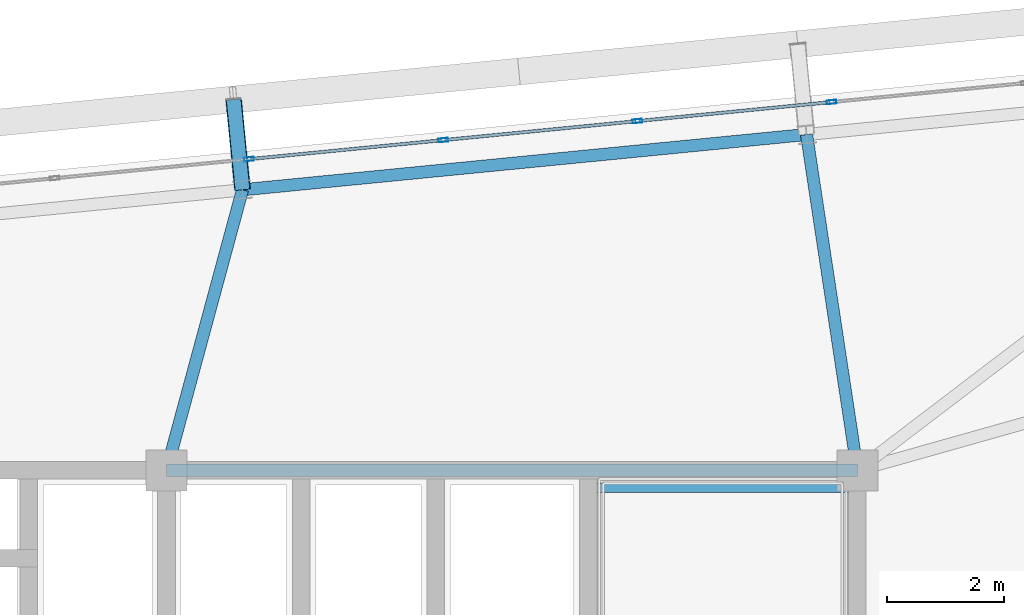
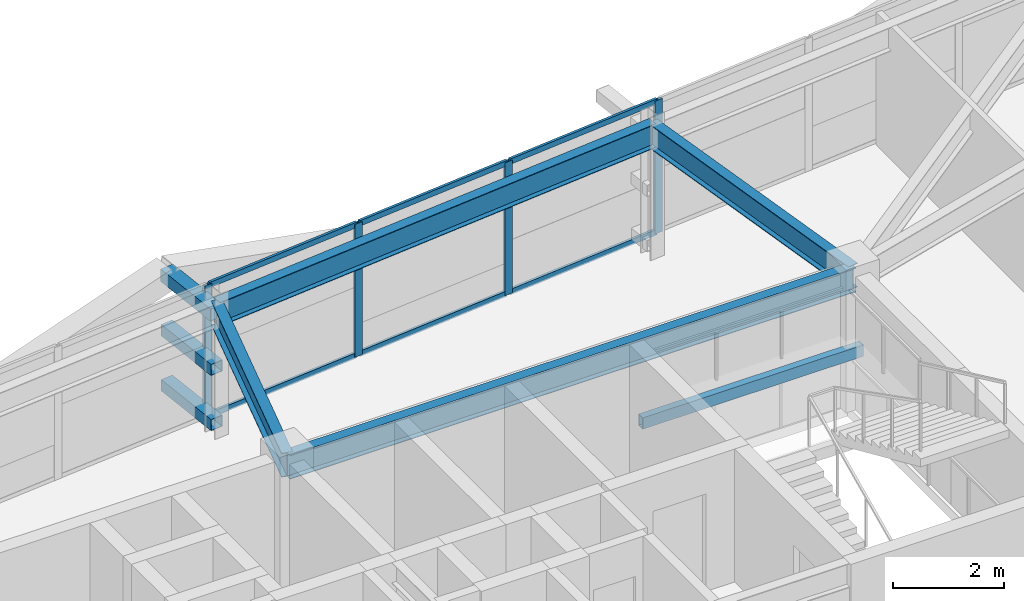
# One storey, part 31 of 53: 13 members, 5 beams, 1 element without a shape of its own.
"""IFC4 building model written with IfcOpenShell, lengths in metres."""

from ifc_helpers import new_model, si_unit, direction, frame, origin, origin_2d, place, context, subcontext, project, spatial, hollow_rectangle, i_section, extrude, source, transform, mapped, material, layer, layer_set, material_profile, profile_set, type_object, element, aggregate, save


model = new_model("IFC4")

# Units and contexts
model_context = context("Model", 3, precision=1e-05, world=origin(), true_north=direction((0.0, 1.0)))
body_context = subcontext(model_context, "Body", "Model", "MODEL_VIEW")
ifc_project = project(units=[si_unit("LENGTHUNIT", "METRE"), si_unit("AREAUNIT", "SQUARE_METRE"), si_unit("VOLUMEUNIT", "CUBIC_METRE"), si_unit("PLANEANGLEUNIT", "RADIAN"), si_unit("MASSUNIT", "GRAM", prefix="KILO")], contexts=[model_context])

# Site, building, storey
site_placement = place(None, origin())
site = spatial("IfcSite", under=ifc_project, at=site_placement, CompositionType="ELEMENT")
building_placement = place(site_placement, origin())
building = spatial("IfcBuilding", under=site, at=building_placement, Name="Taldren Reach Tower", CompositionType="ELEMENT")
storey_placement = place(building_placement, frame((0.0, 0.0, 80.85009765625)))
storey = spatial("IfcBuildingStorey", under=building, at=storey_placement, Name="L24", CompositionType="ELEMENT", Elevation=80.85009765625)

# Beam
ifc_material_1 = material(Name="Steel Gr 350 (350PLUS)", Category="steel")
ifc_material_profile_1 = material_profile(ifc_material_1, i_section(OverallWidth=0.208984375, OverallDepth=0.532958984375, WebThickness=0.01025390625, FlangeThickness=0.015625, at=origin_2d()), Name="530UB92.4")
ifc_profile_set_1 = profile_set([ifc_material_profile_1], Name="Steel Gr 350 (350PLUS)")
beam_type_1 = type_object("IfcBeamType", Name="BM-UB530A", PredefinedType="BEAM", material=ifc_profile_set_1)
shared_shape_1 = source(origin(), body_context, "Body", "SweptSolid", [
    extrude(i_section(OverallWidth=0.208984375, OverallDepth=0.532958984375, WebThickness=0.01025390625, FlangeThickness=0.015625, at=origin_2d()), origin(), (0.0, 0.0, 1.0), 11.800048828125),
])
beam_1_placement = place(storey_placement, frame((39.199951171875, 32.0, 2.663330078125), z_axis=(1.0, 0.0, 0.0), x_axis=(0.0, 1.0, 0.0)))
element("IfcBeam", 1, at=beam_1_placement, inside=storey, type_object=beam_type_1, Name="Core-spine girder L24-SP06", PredefinedType="BEAM", context=body_context, shape_type="MappedRepresentation", body=[
    mapped(shared_shape_1, transform((0.0, 0.0, 0.0), scale=1.0)),
])

# Members
ifc_material_2 = material(Name="Steel Gr 450 (C450L0)", Category="steel")
ifc_material_profile_2 = material_profile(ifc_material_2, hollow_rectangle(XDim=0.27490234375, YDim=0.27490234375, WallThickness=0.00927734375, at=origin_2d()), Name="275x275x9.3SHS")
ifc_profile_set_2 = profile_set([ifc_material_profile_2], Name="Steel Gr 450 (C450L0)")
member_type_1 = type_object("IfcMemberType", Name="MB-TIE273", PredefinedType="STRUT", material=ifc_profile_set_2)
shared_shape_2 = source(origin(), body_context, "Body", "SweptSolid", [
    extrude(hollow_rectangle(XDim=0.27490234375, YDim=0.27490234375, WallThickness=0.00927734375, at=origin_2d()), origin(), (0.0, 0.0, 1.0), 1.5498046875),
])
member_1_placement = place(storey_placement, frame((40.498291015625, 36.790771484375, 2.64990234375), z_axis=(-0.097663201064, 0.995219523099, 0.0), x_axis=(-0.995219523099, -0.097663201064, 0.0)))
element("IfcMember", 2, at=member_1_placement, inside=storey, type_object=member_type_1, Name="Exoskeleton diaphragm tie strut B2-N4 L24", PredefinedType="STRUT", context=body_context, shape_type="MappedRepresentation", body=[
    mapped(shared_shape_2, transform((0.0, 0.0, 0.0), scale=1.0)),
])
ifc_material_3 = material(Name="Steel Gr 350 (C350L0)", Category="steel")
ifc_material_profile_3 = material_profile(ifc_material_3, hollow_rectangle(XDim=0.25, YDim=0.25, WallThickness=0.010009765625, at=origin_2d()), Name="250x250x10.0SHS")
ifc_profile_set_3 = profile_set([ifc_material_profile_3], Name="Steel Gr 350 (C350L0)")
member_type_2 = type_object("IfcMemberType", Name="MB-POST250", PredefinedType="POST", material=ifc_profile_set_3)
shared_shape_3 = source(origin(), body_context, "Body", "SweptSolid", [
    extrude(hollow_rectangle(XDim=0.25, YDim=0.25, WallThickness=0.010009765625, at=origin_2d()), origin(), (0.0, 0.0, 1.0), 1.5498046875),
])
for number, where, z_axis, x_axis, name in (
    (3, (40.498291015625, 36.790771484375, 0.219970703125), (-0.097663201064, 0.995219523099, 0.0), (-0.995219523099, -0.097663201064, 0.0), "Exoskeleton base diaphragm tie strut B2-N4 L24"),
    (4, (40.498291015625, 36.790771484375, 1.434814453125), (-0.097663201064, 0.995219523099, 0.0), (-0.995219523099, -0.097663201064, 0.0), "Exoskeleton mid-tier diaphragm tie B2-N4 L24"),
):
    element("IfcMember", number, at=place(storey_placement, frame(where, z_axis=z_axis, x_axis=x_axis)), inside=storey, type_object=member_type_2, Name=name, PredefinedType="POST", context=body_context, shape_type="MappedRepresentation", body=[
        mapped(shared_shape_3, transform((0.0, 0.0, 0.0), scale=1.0)),
    ])

# Beams
ifc_material_profile_4 = material_profile(ifc_material_1, i_section(OverallWidth=0.208984375, OverallDepth=0.528076171875, WebThickness=0.009521484375, FlangeThickness=0.01318359375, at=origin_2d()), Name="530UB82.0")
ifc_profile_set_4 = profile_set([ifc_material_profile_4], Name="Steel Gr 350 (350PLUS)")
beam_type_2 = type_object("IfcBeamType", Name="SP-UB530B", PredefinedType="SPANDREL", material=ifc_profile_set_4)
shared_shape_4 = source(origin(), body_context, "Body", "SweptSolid", [
    extrude(i_section(OverallWidth=0.208984375, OverallDepth=0.528076171875, WebThickness=0.009521484375, FlangeThickness=0.01318359375, at=origin_2d()), origin(), (0.0, 0.0, 1.0), 9.679931640625),
])
beam_2_placement = place(storey_placement, frame((50.132080078125, 37.7353515625, 2.666015625), z_axis=(-0.995227612658, -0.097580730699, 0.0), x_axis=(0.097580730699, -0.995227612658, 0.0)))
element("IfcBeam", 5, at=beam_2_placement, inside=storey, type_object=beam_type_2, Name="Perimeter spandrel B2 N5-N4 L24", PredefinedType="SPANDREL", context=body_context, shape_type="MappedRepresentation", body=[
    mapped(shared_shape_4, transform((0.0, 0.0, 0.0), scale=1.0)),
])
shared_shape_5 = source(origin(), body_context, "Body", "SweptSolid", [
    extrude(i_section(OverallWidth=0.208984375, OverallDepth=0.532958984375, WebThickness=0.01025390625, FlangeThickness=0.015625, at=origin_2d()), origin(), (0.0, 0.0, 1.0), 5.800537109375),
])
beam_3_placement = place(storey_placement, frame((51.0, 32.0, 2.663330078125), z_axis=(-0.149624592867, 0.988742879221, 0.0), x_axis=(-0.988742879221, -0.149624592867, 0.0)))
element("IfcBeam", 6, at=beam_3_placement, inside=storey, type_object=beam_type_1, Name="Primary floor girder B2-N5 L24", PredefinedType="BEAM", context=body_context, shape_type="MappedRepresentation", body=[
    mapped(shared_shape_5, transform((0.0, 0.0, 0.0), scale=1.0)),
])
shared_shape_6 = source(origin(), body_context, "Body", "SweptSolid", [
    extrude(i_section(OverallWidth=0.208984375, OverallDepth=0.532958984375, WebThickness=0.01025390625, FlangeThickness=0.015625, at=origin_2d()), origin(), (0.0, 0.0, 1.0), 4.963623046875),
])
beam_4_placement = place(storey_placement, frame((39.199951171875, 32.0, 2.663330078125), z_axis=(0.261572995851, 0.965183696423, 0.0), x_axis=(-0.965183696423, 0.261572995851, 0.0)))
element("IfcBeam", 7, at=beam_4_placement, inside=storey, type_object=beam_type_1, Name="Primary floor girder B2-N4 L24", PredefinedType="BEAM", context=body_context, shape_type="MappedRepresentation", body=[
    mapped(shared_shape_6, transform((0.0, 0.0, 0.0), scale=1.0)),
])

# Curtain wall, members
ifc_material_4 = material(Name="Aluminium and Low-E Glass Unitised System", Category="aluminium")
ifc_layer = layer(ifc_material_4, 0.159912109375)
ifc_layer_set = layer_set([ifc_layer], Name="Aluminium and Low-E Glass Unitised System")
curtain_wall_type = type_object("IfcCurtainWallType", Name="CW-SYS-3", PredefinedType="NOTDEFINED", material=ifc_layer_set)
curtain_wall_placement = place(storey_placement, origin())
curtain_wall = element("IfcCurtainWall", 8, at=curtain_wall_placement, inside=storey, type_object=curtain_wall_type, Name="Unitised curtain wall CW-L24-N", PredefinedType="NOTDEFINED")
ifc_material_5 = material(Name="Anodised Aluminium 6063-T6", Category="aluminium")
ifc_material_profile_5 = material_profile(ifc_material_5, hollow_rectangle(XDim=0.06494140625, YDim=0.1650390625, WallThickness=0.00390625, at=origin_2d()), Name="ALU-165x65x4RHS")
ifc_profile_set_5 = profile_set([ifc_material_profile_5], Name="Anodised Aluminium 6063-T6")
member_type_3 = type_object("IfcMemberType", Name="CW-MUL-165", PredefinedType="MULLION", material=ifc_profile_set_5)
shared_shape_7 = source(origin(), body_context, "Body", "SweptSolid", [
    extrude(hollow_rectangle(XDim=0.06494140625, YDim=0.1650390625, WallThickness=0.00390625, at=origin_2d()), origin(), (0.0, 0.0, 1.0), 2.929931640625),
])
member_2_placement = place(storey_placement, frame((50.56005859375, 38.289794921875, 0.0), z_axis=(0.0, 0.0, 1.0), x_axis=(0.097582999046, -0.995227390247, 0.0)))
member_2 = element("IfcMember", 9, at=member_2_placement, type_object=member_type_3, Name="CW-3 mullion 4", PredefinedType="MULLION", context=body_context, shape_type="MappedRepresentation", body=[
    mapped(shared_shape_7, transform((0.0, 0.0, 0.0), scale=1.0)),
])
member_3_placement = place(storey_placement, frame((47.242431640625, 37.96435546875, 0.0), z_axis=(0.0, 0.0, 1.0), x_axis=(0.097582999046, -0.995227390247, 0.0)))
member_3 = element("IfcMember", 10, at=member_3_placement, type_object=member_type_3, Name="CW-3 mullion 5", PredefinedType="MULLION", context=body_context, shape_type="MappedRepresentation", body=[
    mapped(shared_shape_7, transform((0.0, 0.0, 0.0), scale=1.0)),
])
member_4_placement = place(storey_placement, frame((43.925048828125, 37.63916015625, 0.0), z_axis=(0.0, 0.0, 1.0), x_axis=(0.097582999046, -0.995227390247, 0.0)))
member_4 = element("IfcMember", 11, at=member_4_placement, type_object=member_type_3, Name="CW-3 mullion 6", PredefinedType="MULLION", context=body_context, shape_type="MappedRepresentation", body=[
    mapped(shared_shape_7, transform((0.0, 0.0, 0.0), scale=1.0)),
])
member_5_placement = place(storey_placement, frame((40.607666015625, 37.31396484375, 0.0), z_axis=(0.0, 0.0, 1.0), x_axis=(0.097582999046, -0.995227390247, 0.0)))
member_5 = element("IfcMember", 12, at=member_5_placement, type_object=member_type_3, Name="CW-3 mullion 7", PredefinedType="MULLION", context=body_context, shape_type="MappedRepresentation", body=[
    mapped(shared_shape_7, transform((0.0, 0.0, 0.0), scale=1.0)),
])
ifc_material_profile_6 = material_profile(ifc_material_5, hollow_rectangle(XDim=0.054931640625, YDim=0.1201171875, WallThickness=0.0029296875, at=origin_2d()), Name="ALU-120x55x3RHS")
ifc_profile_set_6 = profile_set([ifc_material_profile_6], Name="Anodised Aluminium 6063-T6")
member_type_4 = type_object("IfcMemberType", Name="CW-TRN-135", PredefinedType="USERDEFINED", material=ifc_profile_set_6)
shared_shape_8 = source(origin(), body_context, "Body", "SweptSolid", [
    extrude(hollow_rectangle(XDim=0.054931640625, YDim=0.1201171875, WallThickness=0.0029296875, at=origin_2d()), origin(), (0.0, 0.0, 1.0), 3.268310546875),
])
member_6_placement = place(storey_placement, frame((50.527587890625, 38.28662109375, 0.02734375), z_axis=(-0.995222549564, -0.097632355496, 0.0), x_axis=(0.097632355496, -0.995222549564, 0.0)))
member_6 = element("IfcMember", 13, at=member_6_placement, type_object=member_type_4, Name="CW-3 transom 4.1", ObjectType="TRANSOM", PredefinedType="USERDEFINED", context=body_context, shape_type="MappedRepresentation", body=[
    mapped(shared_shape_8, transform((0.0, 0.0, 0.0), scale=1.0)),
])
member_7_placement = place(storey_placement, frame((50.527587890625, 38.28662109375, 2.90234375), z_axis=(-0.995222549564, -0.097632355496, 0.0), x_axis=(0.097632355496, -0.995222549564, 0.0)))
member_7 = element("IfcMember", 14, at=member_7_placement, type_object=member_type_4, Name="CW-3 transom 4.2", ObjectType="TRANSOM", PredefinedType="USERDEFINED", context=body_context, shape_type="MappedRepresentation", body=[
    mapped(shared_shape_8, transform((0.0, 0.0, 0.0), scale=1.0)),
])
member_8_placement = place(storey_placement, frame((47.210205078125, 37.961181640625, 0.02734375), z_axis=(-0.99522980512, -0.097558367146, 0.0), x_axis=(0.097558367146, -0.99522980512, 0.0)))
member_8 = element("IfcMember", 15, at=member_8_placement, type_object=member_type_4, Name="CW-3 transom 5.1", ObjectType="TRANSOM", PredefinedType="USERDEFINED", context=body_context, shape_type="MappedRepresentation", body=[
    mapped(shared_shape_8, transform((0.0, 0.0, 0.0), scale=1.0)),
])
member_9_placement = place(storey_placement, frame((47.210205078125, 37.961181640625, 2.90234375), z_axis=(-0.99522980512, -0.097558367146, 0.0), x_axis=(0.097558367146, -0.99522980512, 0.0)))
member_9 = element("IfcMember", 16, at=member_9_placement, type_object=member_type_4, Name="CW-3 transom 5.2", ObjectType="TRANSOM", PredefinedType="USERDEFINED", context=body_context, shape_type="MappedRepresentation", body=[
    mapped(shared_shape_8, transform((0.0, 0.0, 0.0), scale=1.0)),
])
member_10_placement = place(storey_placement, frame((43.892822265625, 37.635986328125, 0.02734375), z_axis=(-0.99522980512, -0.097558367146, 0.0), x_axis=(0.097558367146, -0.99522980512, 0.0)))
member_10 = element("IfcMember", 17, at=member_10_placement, type_object=member_type_4, Name="CW-3 transom 6.1", ObjectType="TRANSOM", PredefinedType="USERDEFINED", context=body_context, shape_type="MappedRepresentation", body=[
    mapped(shared_shape_8, transform((0.0, 0.0, 0.0), scale=1.0)),
])
member_11_placement = place(storey_placement, frame((43.892822265625, 37.635986328125, 2.90234375), z_axis=(-0.99522980512, -0.097558367146, 0.0), x_axis=(0.097558367146, -0.99522980512, 0.0)))
member_11 = element("IfcMember", 18, at=member_11_placement, type_object=member_type_4, Name="CW-3 transom 6.2", ObjectType="TRANSOM", PredefinedType="USERDEFINED", context=body_context, shape_type="MappedRepresentation", body=[
    mapped(shared_shape_8, transform((0.0, 0.0, 0.0), scale=1.0)),
])
aggregate(curtain_wall, [member_2, member_3, member_4, member_5, member_6, member_7, member_8, member_9, member_10, member_11])

# Beam
ifc_material_profile_7 = material_profile(ifc_material_3, hollow_rectangle(XDim=0.14990234375, YDim=0.25, WallThickness=0.009033203125, at=origin_2d()), Name="250x150x9.0RHS")
ifc_profile_set_7 = profile_set([ifc_material_profile_7], Name="Steel Gr 350 (C350L0)")
beam_type_3 = type_object("IfcBeamType", Name="LN-RHS250", PredefinedType="LINTEL", material=ifc_profile_set_7)
shared_shape_9 = source(origin(), body_context, "Body", "SweptSolid", [
    extrude(hollow_rectangle(XDim=0.14990234375, YDim=0.25, WallThickness=0.009033203125, at=origin_2d()), origin(), (0.0, 0.0, 1.0), 4.60009765625),
])
beam_5_placement = place(storey_placement, frame((46.39990234375, 31.699951171875, 1.27001953125), z_axis=(1.0, 0.0, 0.0), x_axis=(0.0, 1.0, 0.0)))
element("IfcBeam", 19, at=beam_5_placement, inside=storey, type_object=beam_type_3, Name="Stair half-landing support beam ST2-L24-2", PredefinedType="LINTEL", context=body_context, shape_type="MappedRepresentation", body=[
    mapped(shared_shape_9, transform((0.0, 0.0, 0.0), scale=1.0)),
])

save(model, "model.ifc")
